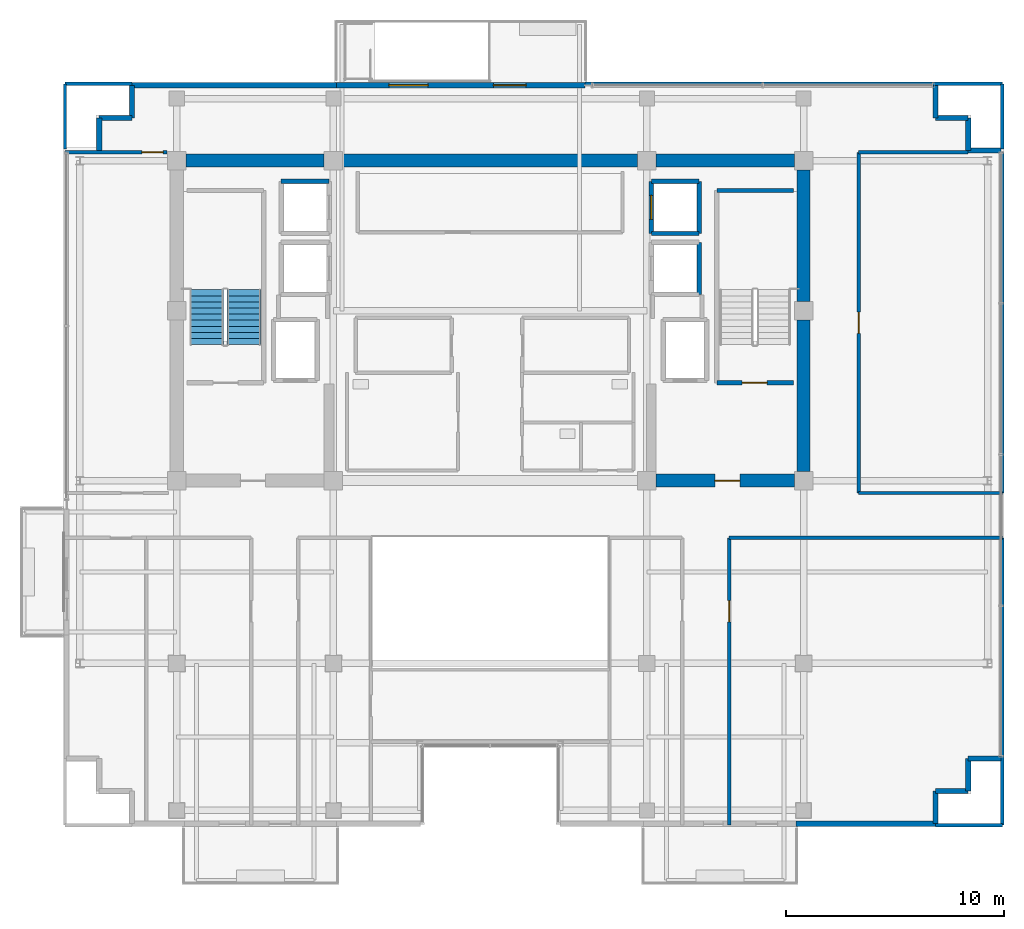
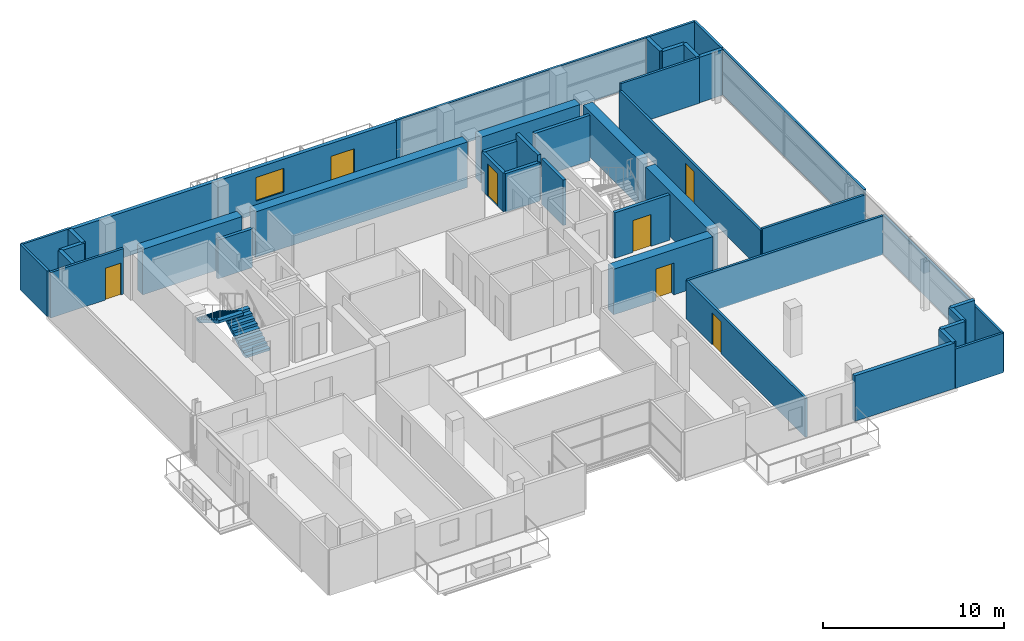
# One storey, part 18 of 24: 41 walls, 7 doors, 2 stair flights, 1 window, 8 openings, 1 element without a shape of its own.
"""IFC4 building model written with IfcOpenShell, lengths in metres."""

import ifcopenshell
import ifcopenshell.guid

model = None  # the IFC model being written
_history = None  # IfcOwnerHistory: only IFC2X3 demands one
_inside = {}  # id of a spatial element -> (the spatial element, [elements in it])
_under = {}  # id of a project, library or spatial element -> (it, [spatial elements below it])
_declared = {}  # id of a project -> (the project, [libraries it declares])
_typed = {}  # id of a type object -> (the type object, [elements of that type])
_made_of = {}  # id of a material, layer set ... -> (it, [elements and type objects made of it])


def new_model(schema):
    """Start an empty IFC model of exactly this schema.

    Asked for "IFC4X3", IfcOpenShell would pick the latest addendum, in which some entities
    have other attributes; the version numbers below select the first issue.
    IFC2X3 requires an IfcOwnerHistory on every rooted entity: one is made here for all.
    """
    global model, _history
    if schema == "IFC4X3":
        model = ifcopenshell.file(schema_version=(4, 3, 0, 0))
    else:
        model = ifcopenshell.file(schema=schema)
    _inside.clear()
    _under.clear()
    _declared.clear()
    _typed.clear()
    _made_of.clear()
    _history = None
    if model.schema == "IFC2X3":
        org = make("IfcOrganization", Name="unknown")
        user = make(
            "IfcPersonAndOrganization",
            ThePerson=make("IfcPerson", FamilyName="unknown"),
            TheOrganization=org,
        )
        app = make(
            "IfcApplication",
            ApplicationDeveloper=org,
            Version="unknown",
            ApplicationFullName="unknown",
            ApplicationIdentifier="unknown",
        )
        _history = make(
            "IfcOwnerHistory",
            OwningUser=user,
            OwningApplication=app,
            ChangeAction="ADDED",
            CreationDate=0,
        )
    return model


def make(cls, **values):
    """One entity of the class cls with the attributes given. An attribute that is None is left unset."""
    return model.create_entity(
        cls, **{name: value for name, value in values.items() if value is not None}
    )


def rooted(cls, **values):
    """An entity with a GlobalId (a new one), such as an element, a storey or a relation."""
    return make(cls, GlobalId=ifcopenshell.guid.new(), OwnerHistory=_history, **values)


def si_unit(unit_type, name, prefix=None):
    """IfcSIUnit, for example si_unit("LENGTHUNIT", "METRE", prefix="MILLI")."""
    return make("IfcSIUnit", UnitType=unit_type, Prefix=prefix, Name=name)


def assignment(units):
    """IfcUnitAssignment: the units of a project."""
    return None if units is None else make("IfcUnitAssignment", Units=units)


def point(xyz):
    """IfcCartesianPoint."""
    return None if xyz is None else make("IfcCartesianPoint", Coordinates=xyz)


def direction(xyz):
    """IfcDirection."""
    return None if xyz is None else make("IfcDirection", DirectionRatios=xyz)


def frame(location, z_axis=None, x_axis=None):
    """IfcAxis2Placement3D, a coordinate frame: its origin and axes. An axis left out is left unset."""
    return make(
        "IfcAxis2Placement3D",
        Location=point(location),
        Axis=direction(z_axis),
        RefDirection=direction(x_axis),
    )


def frame_2d(location, x_axis=None):
    """IfcAxis2Placement2D, a coordinate frame in the plane: its origin and x axis."""
    return make(
        "IfcAxis2Placement2D", Location=point(location), RefDirection=direction(x_axis)
    )


def origin():
    """The frame at (0, 0, 0) with its axes left unset."""
    return frame((0.0, 0.0, 0.0))


def place(relative_to, where):
    """IfcLocalPlacement: puts the frame where relative to a parent placement (None: the world)."""
    return make(
        "IfcLocalPlacement", PlacementRelTo=relative_to, RelativePlacement=where
    )


def context(
    kind, dimensions, precision=None, world=None, true_north=None, identifier=None
):
    """IfcGeometricRepresentationContext, for example the 3D "Model" context."""
    return make(
        "IfcGeometricRepresentationContext",
        ContextIdentifier=identifier,
        ContextType=kind,
        CoordinateSpaceDimension=dimensions,
        Precision=precision,
        WorldCoordinateSystem=world,
        TrueNorth=true_north,
    )


def subcontext(parent, identifier, kind, view, scale=None):
    """IfcGeometricRepresentationSubContext, for example "Body" below "Model"."""
    return make(
        "IfcGeometricRepresentationSubContext",
        ContextIdentifier=identifier,
        ContextType=kind,
        ParentContext=parent,
        TargetScale=scale,
        TargetView=view,
    )


def project(units=None, contexts=None):
    """IfcProject with its units and contexts."""
    return rooted(
        "IfcProject",
        Name="project",
        RepresentationContexts=contexts,
        UnitsInContext=assignment(units),
    )


def spatial(cls, under=None, at=None, **own):
    """A site, building, storey or space (cls), placed at a placement, below another one or the project."""
    s = rooted(cls, ObjectPlacement=at, **own)
    if under is not None:
        _under.setdefault(under.id(), (under, []))[1].append(s)
    return s


def polyline(points):
    """IfcPolyline through the points."""
    return make("IfcPolyline", Points=[point(p) for p in points])


def profile(cls, at=None, kind="AREA", **sizes):
    """A parametric profile (cls). Its sizes go by their IFC names, for example OverallWidth=200.0."""
    return make(cls, ProfileType=kind, Position=at, **sizes)


def rectangle(**sizes):
    """IfcRectangleProfileDef."""
    return profile("IfcRectangleProfileDef", **sizes)


def outline(outer, holes=None, kind="AREA"):
    """IfcArbitraryClosedProfileDef: a profile drawn as a closed curve; with holes, ...WithVoids."""
    if holes is None:
        return make("IfcArbitraryClosedProfileDef", ProfileType=kind, OuterCurve=outer)
    return make(
        "IfcArbitraryProfileDefWithVoids",
        ProfileType=kind,
        OuterCurve=outer,
        InnerCurves=holes,
    )


def extrude(swept, where, along, depth):
    """IfcExtrudedAreaSolid: the profile swept, set in the frame where, extruded along a direction by depth."""
    return make(
        "IfcExtrudedAreaSolid",
        SweptArea=swept,
        Position=where,
        ExtrudedDirection=direction(along),
        Depth=depth,
    )


def shape(context_of_items, identifier, shape_type, items):
    """IfcShapeRepresentation: the items that make up one representation, for example the "Body"."""
    return make(
        "IfcShapeRepresentation",
        ContextOfItems=context_of_items,
        RepresentationIdentifier=identifier,
        RepresentationType=shape_type,
        Items=items,
    )


def source(mapping_origin, context_of_items, identifier, shape_type, items):
    """IfcRepresentationMap: a shape defined once, which mapped items show again and again."""
    return make(
        "IfcRepresentationMap",
        MappingOrigin=mapping_origin,
        MappedRepresentation=shape(context_of_items, identifier, shape_type, items),
    )


def transform(
    local_origin,
    x_axis=None,
    y_axis=None,
    z_axis=None,
    scale=None,
    scale2=None,
    scale3=None,
    uniform=True,
):
    """IfcCartesianTransformationOperator3D, or its non-uniform kind. x_axis, y_axis, z_axis: its Axis1, 2, 3."""
    if uniform:
        return make(
            "IfcCartesianTransformationOperator3D",
            Axis1=direction(x_axis),
            Axis2=direction(y_axis),
            LocalOrigin=point(local_origin),
            Scale=scale,
            Axis3=direction(z_axis),
        )
    return make(
        "IfcCartesianTransformationOperator3DnonUniform",
        Axis1=direction(x_axis),
        Axis2=direction(y_axis),
        LocalOrigin=point(local_origin),
        Scale=scale,
        Axis3=direction(z_axis),
        Scale2=scale2,
        Scale3=scale3,
    )


def mapped(mapping_source, mapping_target):
    """IfcMappedItem: shows the shape of a source again, moved by a transform."""
    return make(
        "IfcMappedItem", MappingSource=mapping_source, MappingTarget=mapping_target
    )


def material(Name=None, Category=None):
    """IfcMaterial."""
    return make("IfcMaterial", Name=Name, Category=Category)


def layer(
    of_material, thickness, ventilated=None, Name=None, Category=None, Priority=None
):
    """IfcMaterialLayer: one layer of a wall or slab, of a material (None: an air gap)."""
    return make(
        "IfcMaterialLayer",
        Material=of_material,
        LayerThickness=thickness,
        IsVentilated=ventilated,
        Name=Name,
        Category=Category,
        Priority=Priority,
    )


def layer_set(layers, Name=None):
    """IfcMaterialLayerSet."""
    return make("IfcMaterialLayerSet", MaterialLayers=layers, LayerSetName=Name)


def made_of(thing, what):
    """Note that an element or type object is made of a material, layer set ...; save() writes the relation."""
    if what is not None:
        _made_of.setdefault(what.id(), (what, []))[1].append(thing)
    return thing


def type_object(cls, material=None, **own):
    """A type object (cls), such as IfcWallType, which elements share."""
    return made_of(rooted(cls, **own), material)


def element(
    cls,
    number,
    at=None,
    inside=None,
    cuts=None,
    type_object=None,
    material=None,
    context=None,
    identifier="Body",
    shape_type=None,
    held_by="IfcProductDefinitionShape",
    body=None,
    shapes=None,
    **own,
):
    """One element of the class cls, such as IfcWall. Its Tag is "e" and its number.

    at: its placement. inside: the storey or other place that contains it. cuts: it is an
    opening in that element (IfcRelVoidsElement). A single representation is given by context,
    identifier, shape_type and body (its items); several are given by shapes. held_by: the class
    of the entity that holds the representations. save() writes the other relations.
    """
    e = rooted(cls, Tag="e%d" % number, ObjectPlacement=at, **own)
    if body is not None:
        shapes = [shape(context, identifier, shape_type, body)]
    if shapes is not None:
        e.Representation = make(held_by, Representations=shapes)
    if inside is not None:
        _inside.setdefault(inside.id(), (inside, []))[1].append(e)
    if cuts is not None:
        rooted(
            "IfcRelVoidsElement", RelatingBuildingElement=cuts, RelatedOpeningElement=e
        )
    if type_object is not None:
        _typed.setdefault(type_object.id(), (type_object, []))[1].append(e)
    return made_of(e, material)


def fill(opening, filler):
    """IfcRelFillsElement: the door or window that sits in an opening."""
    return rooted(
        "IfcRelFillsElement",
        RelatingOpeningElement=opening,
        RelatedBuildingElement=filler,
    )


def aggregate(whole, parts):
    """IfcRelAggregates: a whole, such as a stair, and the parts it consists of."""
    return rooted("IfcRelAggregates", RelatingObject=whole, RelatedObjects=parts)


def save(model, path):
    """Write the relations noted so far, then the file.

    IfcRelAggregates (storeys below a building ...), IfcRelContainedInSpatialStructure (elements
    in a storey), IfcRelDefinesByType, IfcRelAssociatesMaterial and IfcRelDeclares: one each for
    every whole, place, type object, material and project.
    """
    for whole, parts in _under.values():
        aggregate(whole, parts)
    for where, things in _inside.values():
        rooted(
            "IfcRelContainedInSpatialStructure",
            RelatedElements=things,
            RelatingStructure=where,
        )
    for kind, things in _typed.values():
        rooted("IfcRelDefinesByType", RelatedObjects=things, RelatingType=kind)
    for what, things in _made_of.values():
        rooted("IfcRelAssociatesMaterial", RelatedObjects=things, RelatingMaterial=what)
    for by, libraries in _declared.values():
        rooted("IfcRelDeclares", RelatingContext=by, RelatedDefinitions=libraries)
    model.write(path)


model = new_model("IFC4")

# Units and contexts
model_context = context("Model", 3, precision=1e-05, world=origin(), true_north=direction((0.0, 1.0)))
body_context = subcontext(model_context, "Body", "Model", "MODEL_VIEW")
ifc_project = project(units=[si_unit("LENGTHUNIT", "METRE"), si_unit("AREAUNIT", "SQUARE_METRE"), si_unit("VOLUMEUNIT", "CUBIC_METRE"), si_unit("PLANEANGLEUNIT", "RADIAN"), si_unit("MASSUNIT", "GRAM", prefix="KILO")], contexts=[model_context])

# Site, building, storey
site_placement = place(None, origin())
site = spatial("IfcSite", under=ifc_project, at=site_placement, CompositionType="ELEMENT")
building_placement = place(site_placement, origin())
building = spatial("IfcBuilding", under=site, at=building_placement, Name="Zarnakvel Exchange Tower", CompositionType="ELEMENT")
storey_placement = place(building_placement, frame((0.0, 0.0, 235.300048828125)))
storey = spatial("IfcBuildingStorey", under=building, at=storey_placement, Name="L66", CompositionType="ELEMENT", Elevation=235.300048828125)

# Walls
ifc_material_1 = material(Name="Concrete C50/60", Category="concrete")
ifc_layer_1 = layer(ifc_material_1, 0.60009765625)
ifc_layer_set_1 = layer_set([ifc_layer_1], Name="Concrete C50/60")
wall_type_1 = type_object("IfcWallType", Name="CW-C5", PredefinedType="SHEAR", material=ifc_layer_set_1)
wall_1_placement = place(storey_placement, frame((-13.97509765625, 13.5, 0.0), z_axis=(0.0, 0.0, 1.0), x_axis=(1.0, 0.0, 0.0)))
element("IfcWall", 1, at=wall_1_placement, inside=storey, type_object=wall_type_1, Name="L66 Rear Core Shear Wall N1 (CW-C5)", PredefinedType="SHEAR", context=body_context, shape_type="SweptSolid", body=[
    extrude(rectangle(XDim=6.35009765625, YDim=0.60009765625, at=frame_2d((3.175048828125, 0.0))), origin(), (0.0, 0.0, 1.0), 3.074951171875),
])
wall_2_placement = place(storey_placement, frame((-6.77490234375, 13.5, 0.0), z_axis=(0.0, 0.0, 1.0), x_axis=(1.0, 0.0, 0.0)))
element("IfcWall", 2, at=wall_2_placement, inside=storey, type_object=wall_type_1, Name="L66 Rear Core Shear Wall N2 (CW-C5)", PredefinedType="SHEAR", context=body_context, shape_type="SweptSolid", body=[
    extrude(rectangle(XDim=13.5498046875, YDim=0.60009765625, at=frame_2d((6.77490234375, 0.0))), origin(), (0.0, 0.0, 1.0), 3.074951171875),
])
wall_3_placement = place(storey_placement, frame((7.625, 13.5, 0.0), z_axis=(0.0, 0.0, 1.0), x_axis=(1.0, 0.0, 0.0)))
element("IfcWall", 3, at=wall_3_placement, inside=storey, type_object=wall_type_1, Name="L66 Rear Core Shear Wall N3 (CW-C5)", PredefinedType="SHEAR", context=body_context, shape_type="SweptSolid", body=[
    extrude(rectangle(XDim=6.35009765625, YDim=0.60009765625, at=frame_2d((3.175048828125, 0.0))), origin(), (0.0, 0.0, 1.0), 3.074951171875),
])
wall_4_placement = place(storey_placement, frame((14.39990234375, -0.77490234375, 0.0), z_axis=(0.0, 0.0, 1.0), x_axis=(0.0, 1.0, 0.0)))
element("IfcWall", 4, at=wall_4_placement, inside=storey, type_object=wall_type_1, Name="L66 Rear Core Shear Wall E1 (CW-C5)", PredefinedType="SHEAR", context=body_context, shape_type="SweptSolid", body=[
    extrude(rectangle(XDim=6.949951171875, YDim=0.60009765625, at=frame_2d((3.47509765625, 0.0))), origin(), (0.0, 0.0, 1.0), 3.074951171875),
])
wall_5_placement = place(storey_placement, frame((14.39990234375, 7.02490234375, 0.0), z_axis=(0.0, 0.0, 1.0), x_axis=(0.0, 1.0, 0.0)))
element("IfcWall", 5, at=wall_5_placement, inside=storey, type_object=wall_type_1, Name="L66 Rear Core Shear Wall E2 (CW-C5)", PredefinedType="SHEAR", context=body_context, shape_type="SweptSolid", body=[
    extrude(rectangle(XDim=6.050048828125, YDim=0.60009765625, at=frame_2d((3.02490234375, 0.0))), origin(), (0.0, 0.0, 1.0), 3.074951171875),
])

# Wall, opening, door
wall_6_placement = place(storey_placement, frame((13.97509765625, -1.199951171875, 0.0), z_axis=(0.0, 0.0, 1.0), x_axis=(-1.0, 0.0, 0.0)))
wall_6 = element("IfcWall", 6, at=wall_6_placement, inside=storey, type_object=wall_type_1, Name="L66 Rear Core Shear Wall SE (CW-C5)", PredefinedType="SHEAR", context=body_context, shape_type="SweptSolid", body=[
    extrude(rectangle(XDim=6.35009765625, YDim=0.60009765625, at=frame_2d((3.175048828125, 0.0))), origin(), (0.0, 0.0, 1.0), 3.074951171875),
])
opening_1_placement = place(wall_6_placement, frame((2.5, 0.0, 0.0)))
opening_1 = element("IfcOpeningElement", 7, at=opening_1_placement, cuts=wall_6, Name="Opening D-L66-04", PredefinedType="OPENING", context=body_context, shape_type="SweptSolid", body=[
    extrude(rectangle(XDim=1.14990234375, YDim=2.14990234375, at=frame_2d((0.574951171875, 1.074951171875))), frame((0.0, 0.31005859375, 0.0), z_axis=(0.0, -1.0, 0.0), x_axis=(1.0, 0.0, 0.0)), (0.0, 0.0, 1.0), 0.6201171875),
])
ifc_material_2 = material(Name="Painted Galvanised Steel S355", Category="steel")
door_type_1 = type_object("IfcDoorType", Name="DT-04", OperationType="NOTDEFINED", PredefinedType="DOOR", material=ifc_material_2)
shared_shape_1 = source(origin(), body_context, "Body", "SweptSolid", [
    extrude(rectangle(XDim=1.14990234375, YDim=2.14990234375, at=frame_2d((0.574951171875, 1.074951171875))), frame((0.0, 0.02490234375, 0.0), z_axis=(0.0, -1.0, 0.0), x_axis=(1.0, 0.0, 0.0)), (0.0, 0.0, 1.0), 0.050048828125),
])
door_1_placement = place(opening_1_placement, origin())
door_1 = element("IfcDoor", 8, at=door_1_placement, inside=storey, type_object=door_type_1, Name="L66 Firefighting Lobby East Door D-L66-04", OperationType="SINGLE_SWING_RIGHT", OverallHeight=2.14990234375, OverallWidth=1.14990234375, PredefinedType="DOOR", context=body_context, shape_type="MappedRepresentation", body=[
    mapped(shared_shape_1, transform((0.0, 0.0, 0.0), x_axis=(1.0, 0.0, 0.0), y_axis=(0.0, 1.0, 0.0), z_axis=(0.0, 0.0, 1.0), scale=1.0)),
])
fill(opening_1, door_1)

# Wall, openings, door, window
ifc_material_3 = material(Name="Precast concrete C40/50", Category="concrete")
ifc_layer_2 = layer(ifc_material_3, 0.239990234375)
ifc_layer_set_2 = layer_set([ifc_layer_2], Name="Precast concrete C40/50")
wall_type_2 = type_object("IfcWallType", Name="EW-02", PredefinedType="SOLIDWALL", material=ifc_layer_set_2)
wall_7_placement = place(storey_placement, frame((-7.050048828125, 16.9599609375, 0.0), z_axis=(0.0, 0.0, 1.0), x_axis=(1.0, 0.0, 0.0)))
wall_7 = element("IfcWall", 9, at=wall_7_placement, inside=storey, type_object=wall_type_2, Name="L66 Exterior Precast Spandrel Wall EW-SPTER-L66 (EW-02)", PredefinedType="SOLIDWALL", context=body_context, shape_type="SweptSolid", body=[
    extrude(rectangle(XDim=11.400146484375, YDim=0.239990234375, at=frame_2d((5.7001953125, 0.0))), origin(), (0.0, 0.0, 1.0), 3.074951171875),
])
opening_2_placement = place(wall_7_placement, frame((7.199951171875, 0.0, 0.0)))
opening_2 = element("IfcOpeningElement", 10, at=opening_2_placement, cuts=wall_7, Name="Opening TD-L66-SP", PredefinedType="OPENING", context=body_context, shape_type="SweptSolid", body=[
    extrude(rectangle(XDim=1.5, YDim=2.199951171875, at=frame_2d((0.75, 1.10009765625))), frame((0.0, 0.1298828125, 0.0), z_axis=(0.0, -1.0, 0.0), x_axis=(1.0, 0.0, 0.0)), (0.0, 0.0, 1.0), 0.260009765625),
])
opening_3_placement = place(wall_7_placement, frame((2.39990234375, 0.0, 0.85009765625)))
opening_3 = element("IfcOpeningElement", 11, at=opening_3_placement, cuts=wall_7, Name="Opening WN-05", PredefinedType="OPENING", context=body_context, shape_type="SweptSolid", body=[
    extrude(rectangle(XDim=1.800048828125, YDim=1.60009765625, at=frame_2d((0.89990234375, 0.800048828125))), frame((0.0, 0.1298828125, 0.0), z_axis=(0.0, -1.0, 0.0), x_axis=(1.0, 0.0, 0.0)), (0.0, 0.0, 1.0), 0.260009765625),
])
ifc_material_4 = material(Name="Architectural Bronze Anodised Aluminium", Category="aluminium")
door_type_2 = type_object("IfcDoorType", Name="DT-10", OperationType="NOTDEFINED", PredefinedType="DOOR", material=ifc_material_4)
shared_shape_2 = source(origin(), body_context, "Body", "SweptSolid", [
    extrude(rectangle(XDim=1.5, YDim=2.199951171875, at=frame_2d((0.75, 1.10009765625))), frame((0.0, 0.02490234375, 0.0), z_axis=(0.0, -1.0, 0.0), x_axis=(1.0, 0.0, 0.0)), (0.0, 0.0, 1.0), 0.050048828125),
])
door_2_placement = place(opening_2_placement, origin())
door_2 = element("IfcDoor", 12, at=door_2_placement, inside=storey, type_object=door_type_2, Name="L66 Spiral Sky-Terrace Access Door TD-L66-SP", OperationType="DOUBLE_DOOR_SINGLE_SWING", OverallHeight=2.199951171875, OverallWidth=1.5, PredefinedType="DOOR", context=body_context, shape_type="MappedRepresentation", body=[
    mapped(shared_shape_2, transform((0.0, 0.0, 0.0), x_axis=(1.0, 0.0, 0.0), y_axis=(0.0, 1.0, 0.0), z_axis=(0.0, 0.0, 1.0), scale=1.0)),
])
fill(opening_2, door_2)
ifc_material_5 = material(Name="Double Low-E Laminated Vision Glass", Category="glass")
window_type = type_object("IfcWindowType", Name="WN-05", PartitioningType="SINGLE_PANEL", PredefinedType="WINDOW", material=ifc_material_5)
shared_shape_3 = source(origin(), body_context, "Body", "SweptSolid", [
    extrude(rectangle(XDim=1.800048828125, YDim=1.60009765625, at=frame_2d((0.89990234375, 0.800048828125))), frame((0.0, 0.030029296875, 0.0), z_axis=(0.0, -1.0, 0.0), x_axis=(1.0, 0.0, 0.0)), (0.0, 0.0, 1.0), 0.06005859375),
])
window_placement = place(opening_3_placement, origin())
window = element("IfcWindow", 13, at=window_placement, inside=storey, type_object=window_type, Name="L66 Spiral Sky-Terrace Lounge Window", OverallHeight=1.60009765625, OverallWidth=1.800048828125, PartitioningType="SINGLE_PANEL", PredefinedType="WINDOW", context=body_context, shape_type="MappedRepresentation", body=[
    mapped(shared_shape_3, transform((0.0, 0.0, 0.0), x_axis=(1.0, 0.0, 0.0), y_axis=(0.0, 1.0, 0.0), z_axis=(0.0, 0.0, 1.0), scale=1.0)),
])
fill(opening_3, window)

# Walls
for number, where, z_axis, x_axis, name in (
    (14, (-17.9599609375, 15.4599609375, 0.0), (0.0, 0.0, 1.0), (0.0, -1.0, 0.0), "L66 Exterior Precast Spandrel Wall EWC-L66-04 (EW-02)"),
    (15, (-16.4599609375, 15.4599609375, 0.0), (0.0, 0.0, 1.0), (-1.0, 0.0, 0.0), "L66 Exterior Precast Spandrel Wall EWC-L66-05 (EW-02)"),
    (16, (-16.4599609375, 16.9599609375, 0.0), (0.0, 0.0, 1.0), (0.0, -1.0, 0.0), "L66 Exterior Precast Spandrel Wall EWC-L66-06 (EW-02)"),
):
    element("IfcWall", number, at=place(storey_placement, frame(where, z_axis=z_axis, x_axis=x_axis)), inside=storey, type_object=wall_type_2, Name=name, PredefinedType="SOLIDWALL", context=body_context, shape_type="SweptSolid", body=[
        extrude(rectangle(XDim=1.5, YDim=0.239990234375, at=frame_2d((0.75, 0.0))), origin(), (0.0, 0.0, 1.0), 3.074951171875),
    ])
wall_8_placement = place(storey_placement, frame((-7.050048828125, 16.9599609375, 0.0), z_axis=(0.0, 0.0, 1.0), x_axis=(-1.0, 0.0, 0.0)))
element("IfcWall", 17, at=wall_8_placement, inside=storey, type_object=wall_type_2, Name="L66 Exterior Precast Spandrel Wall EWC-L66-07 (EW-02)", PredefinedType="SOLIDWALL", context=body_context, shape_type="SweptSolid", body=[
    extrude(rectangle(XDim=9.409912109375, YDim=0.239990234375, at=frame_2d((4.705078125, 0.0))), origin(), (0.0, 0.0, 1.0), 3.074951171875),
])
for number, where, z_axis, x_axis, name in (
    (18, (20.4599609375, 15.4599609375, 0.0), (0.0, 0.0, 1.0), (0.0, 1.0, 0.0), "L66 Exterior Precast Spandrel Wall EWC-L66-09 (EW-02)"),
    (19, (21.9599609375, 15.4599609375, 0.0), (0.0, 0.0, 1.0), (-1.0, 0.0, 0.0), "L66 Exterior Precast Spandrel Wall EWC-L66-10 (EW-02)"),
    (20, (21.9599609375, 13.9599609375, 0.0), (0.0, 0.0, 1.0), (0.0, 1.0, 0.0), "L66 Exterior Precast Spandrel Wall EWC-L66-11 (EW-02)"),
    (21, (23.4599609375, 13.9599609375, 0.0), (0.0, 0.0, 1.0), (-1.0, 0.0, 0.0), "L66 Exterior Precast Spandrel Wall EWC-L66-12 (EW-02)"),
    (22, (21.9599609375, -13.9599609375, 0.0), (0.0, 0.0, 1.0), (1.0, 0.0, 0.0), "L66 Exterior Precast Spandrel Wall EWC-L66-13 (EW-02)"),
    (23, (21.9599609375, -15.4599609375, 0.0), (0.0, 0.0, 1.0), (0.0, 1.0, 0.0), "L66 Exterior Precast Spandrel Wall EWC-L66-14 (EW-02)"),
    (24, (20.4599609375, -15.4599609375, 0.0), (0.0, 0.0, 1.0), (1.0, 0.0, 0.0), "L66 Exterior Precast Spandrel Wall EWC-L66-15 (EW-02)"),
    (25, (20.4599609375, -16.9599609375, 0.0), (0.0, 0.0, 1.0), (0.0, 1.0, 0.0), "L66 Exterior Precast Spandrel Wall EWC-L66-16 (EW-02)"),
):
    element("IfcWall", number, at=place(storey_placement, frame(where, z_axis=z_axis, x_axis=x_axis)), inside=storey, type_object=wall_type_2, Name=name, PredefinedType="SOLIDWALL", context=body_context, shape_type="SweptSolid", body=[
        extrude(rectangle(XDim=1.5, YDim=0.239990234375, at=frame_2d((0.75, 0.0))), origin(), (0.0, 0.0, 1.0), 3.074951171875),
    ])
wall_9_placement = place(storey_placement, frame((14.050048828125, -16.9599609375, 0.0), z_axis=(0.0, 0.0, 1.0), x_axis=(1.0, 0.0, 0.0)))
element("IfcWall", 26, at=wall_9_placement, inside=storey, type_object=wall_type_2, Name="L66 Exterior Precast Spandrel Wall EWC-L66-17 (EW-02)", PredefinedType="SOLIDWALL", context=body_context, shape_type="SweptSolid", body=[
    extrude(rectangle(XDim=6.409912109375, YDim=0.239990234375, at=frame_2d((3.205078125, 0.0))), origin(), (0.0, 0.0, 1.0), 3.074951171875),
])
ifc_material_6 = material(Name="Fire-Rated Gypsum Stud Partition", Category="gypsum")
ifc_layer_3 = layer(ifc_material_6, 0.14990234375)
ifc_layer_set_3 = layer_set([ifc_layer_3], Name="Fire-Rated Gypsum Stud Partition")
wall_type_3 = type_object("IfcWallType", Name="PT-01", PredefinedType="PARTITIONING", material=ifc_layer_set_3)
wall_10_placement = place(storey_placement, frame((23.530029296875, -17.030029296875, 0.0), z_axis=(0.0, 0.0, 1.0), x_axis=(-1.0, 0.0, 0.0)))
element("IfcWall", 27, at=wall_10_placement, inside=storey, type_object=wall_type_3, Name="L66 Partition Wall PWALL-L66-040 (PT-01)", PredefinedType="PARTITIONING", context=body_context, shape_type="SweptSolid", body=[
    extrude(rectangle(XDim=3.070068359375, YDim=0.14990234375, at=frame_2d((1.53515625, 0.0))), origin(), (0.0, 0.0, 1.0), 2.6650390625),
])
wall_11_placement = place(storey_placement, frame((10.97998046875, -3.830078125, 0.0), z_axis=(0.0, 0.0, 1.0), x_axis=(1.0, 0.0, 0.0)))
element("IfcWall", 28, at=wall_11_placement, inside=storey, type_object=wall_type_3, Name="L66 Partition Wall PWALL-L66-041 (PT-01)", PredefinedType="PARTITIONING", context=body_context, shape_type="SweptSolid", body=[
    extrude(rectangle(XDim=12.550048828125, YDim=0.14990234375, at=frame_2d((6.27490234375, 0.0))), origin(), (0.0, 0.0, 1.0), 2.614990234375),
])

# Wall, opening, door
wall_12_placement = place(storey_placement, frame((10.97998046875, -17.030029296875, 0.0), z_axis=(0.0, 0.0, 1.0), x_axis=(0.0, 1.0, 0.0)))
wall_12 = element("IfcWall", 29, at=wall_12_placement, inside=storey, type_object=wall_type_3, Name="L66 Partition Wall PWALL-L66-042 (PT-01)", PredefinedType="PARTITIONING", context=body_context, shape_type="SweptSolid", body=[
    extrude(rectangle(XDim=13.199951171875, YDim=0.14990234375, at=frame_2d((6.60009765625, 0.0))), origin(), (0.0, 0.0, 1.0), 2.614990234375),
])
opening_4_placement = place(wall_12_placement, frame((9.340087890625, 0.0, 0.0)))
opening_4 = element("IfcOpeningElement", 30, at=opening_4_placement, cuts=wall_12, Name="Opening D-L66-14", PredefinedType="OPENING", context=body_context, shape_type="SweptSolid", body=[
    extrude(rectangle(XDim=0.97998046875, YDim=2.14990234375, at=frame_2d((0.489990234375, 1.074951171875))), frame((0.0, 0.0849609375, 0.0), z_axis=(0.0, -1.0, 0.0), x_axis=(1.0, 0.0, 0.0)), (0.0, 0.0, 1.0), 0.169921875),
])
ifc_material_7 = material(Name="Timber Acoustic Veneer", Category="wood")
door_type_3 = type_object("IfcDoorType", Name="DT-05", OperationType="NOTDEFINED", PredefinedType="DOOR", material=ifc_material_7)
shared_shape_4 = source(origin(), body_context, "Body", "SweptSolid", [
    extrude(rectangle(XDim=0.97998046875, YDim=2.14990234375, at=frame_2d((0.489990234375, 1.074951171875))), frame((0.0, 0.02490234375, 0.0), z_axis=(0.0, -1.0, 0.0), x_axis=(1.0, 0.0, 0.0)), (0.0, 0.0, 1.0), 0.050048828125),
])
door_3_placement = place(opening_4_placement, origin())
door_3 = element("IfcDoor", 31, at=door_3_placement, inside=storey, type_object=door_type_3, Name="L66 Seminar Room Door D-L66-14", OperationType="SINGLE_SWING_RIGHT", OverallHeight=2.14990234375, OverallWidth=0.97998046875, PredefinedType="DOOR", context=body_context, shape_type="MappedRepresentation", body=[
    mapped(shared_shape_4, transform((0.0, 0.0, 0.0), x_axis=(1.0, 0.0, 0.0), y_axis=(0.0, 1.0, 0.0), z_axis=(0.0, 0.0, 1.0), scale=1.0)),
])
fill(opening_4, door_3)

# Wall
wall_13_placement = place(storey_placement, frame((23.530029296875, -3.830078125, 0.0), z_axis=(0.0, 0.0, 1.0), x_axis=(0.0, -1.0, 0.0)))
element("IfcWall", 32, at=wall_13_placement, inside=storey, type_object=wall_type_3, Name="L66 Partition Wall PWALL-L66-043 (PT-01)", PredefinedType="PARTITIONING", context=body_context, shape_type="SweptSolid", body=[
    extrude(rectangle(XDim=13.199951171875, YDim=0.14990234375, at=frame_2d((6.60009765625, 0.0))), origin(), (0.0, 0.0, 1.0), 2.6650390625),
])

# Wall, opening, door
wall_14_placement = place(storey_placement, frame((-19.530029296875, 13.8798828125, 0.0), z_axis=(0.0, 0.0, 1.0), x_axis=(1.0, 0.0, 0.0)))
wall_14 = element("IfcWall", 33, at=wall_14_placement, inside=storey, type_object=wall_type_3, Name="L66 Partition Wall PWALL-L66-055 (PT-01)", PredefinedType="PARTITIONING", context=body_context, shape_type="SweptSolid", body=[
    extrude(rectangle(XDim=4.68505859375, YDim=0.14990234375, at=frame_2d((2.342529296875, 0.0))), origin(), (0.0, 0.0, 1.0), 3.074951171875),
])
opening_5_placement = place(wall_14_placement, frame((3.52490234375, 0.0, 0.0)))
opening_5 = element("IfcOpeningElement", 34, at=opening_5_placement, cuts=wall_14, Name="Opening D-L66-20", PredefinedType="OPENING", context=body_context, shape_type="SweptSolid", body=[
    extrude(rectangle(XDim=0.97998046875, YDim=2.14990234375, at=frame_2d((0.489990234375, 1.074951171875))), frame((0.0, 0.0849609375, 0.0), z_axis=(0.0, -1.0, 0.0), x_axis=(1.0, 0.0, 0.0)), (0.0, 0.0, 1.0), 0.169921875),
])
door_4_placement = place(opening_5_placement, origin())
door_4 = element("IfcDoor", 35, at=door_4_placement, inside=storey, type_object=door_type_3, Name="L66 Fintech Workspace Door D-L66-20", OperationType="SINGLE_SWING_RIGHT", OverallHeight=2.14990234375, OverallWidth=0.97998046875, PredefinedType="DOOR", context=body_context, shape_type="MappedRepresentation", body=[
    mapped(shared_shape_4, transform((0.0, 0.0, 0.0), x_axis=(1.0, 0.0, 0.0), y_axis=(0.0, 1.0, 0.0), z_axis=(0.0, 0.0, 1.0), scale=1.0)),
])
fill(opening_5, door_4)

# Walls
wall_15_placement = place(storey_placement, frame((23.530029296875, -1.77001953125, 0.0), z_axis=(0.0, 0.0, 1.0), x_axis=(-1.0, 0.0, 0.0)))
element("IfcWall", 36, at=wall_15_placement, inside=storey, type_object=wall_type_3, Name="L66 Partition Wall PWALL-L66-057 (PT-01)", PredefinedType="PARTITIONING", context=body_context, shape_type="SweptSolid", body=[
    extrude(rectangle(XDim=6.60009765625, YDim=0.14990234375, at=frame_2d((3.300048828125, 0.0))), origin(), (0.0, 0.0, 1.0), 2.764892578125),
])
wall_16_placement = place(storey_placement, frame((16.929931640625, 13.8798828125, 0.0), z_axis=(0.0, 0.0, 1.0), x_axis=(1.0, 0.0, 0.0)))
element("IfcWall", 37, at=wall_16_placement, inside=storey, type_object=wall_type_3, Name="L66 Partition Wall PWALL-L66-058 (PT-01)", PredefinedType="PARTITIONING", context=body_context, shape_type="SweptSolid", body=[
    extrude(rectangle(XDim=5.030029296875, YDim=0.14990234375, at=frame_2d((2.51513671875, 0.0))), origin(), (0.0, 0.0, 1.0), 3.074951171875),
])

# Wall, opening, door
wall_17_placement = place(storey_placement, frame((16.929931640625, -1.77001953125, 0.0), z_axis=(0.0, 0.0, 1.0), x_axis=(0.0, 1.0, 0.0)))
wall_17 = element("IfcWall", 38, at=wall_17_placement, inside=storey, type_object=wall_type_3, Name="L66 Partition Wall PWALL-L66-059 (PT-01)", PredefinedType="PARTITIONING", context=body_context, shape_type="SweptSolid", body=[
    extrude(rectangle(XDim=15.64990234375, YDim=0.14990234375, at=frame_2d((7.824951171875, 0.0))), origin(), (0.0, 0.0, 1.0), 2.614990234375),
])
opening_6_placement = place(wall_17_placement, frame((7.3349609375, 0.0, 0.0)))
opening_6 = element("IfcOpeningElement", 39, at=opening_6_placement, cuts=wall_17, Name="Opening D-L66-19", PredefinedType="OPENING", context=body_context, shape_type="SweptSolid", body=[
    extrude(rectangle(XDim=0.97998046875, YDim=2.14990234375, at=frame_2d((0.489990234375, 1.074951171875))), frame((0.0, 0.0849609375, 0.0), z_axis=(0.0, -1.0, 0.0), x_axis=(1.0, 0.0, 0.0)), (0.0, 0.0, 1.0), 0.169921875),
])
door_5_placement = place(opening_6_placement, origin())
door_5 = element("IfcDoor", 40, at=door_5_placement, inside=storey, type_object=door_type_3, Name="L66 Tea Pantry Door D-L66-19", OperationType="SINGLE_SWING_LEFT", OverallHeight=2.14990234375, OverallWidth=0.97998046875, PredefinedType="DOOR", context=body_context, shape_type="MappedRepresentation", body=[
    mapped(shared_shape_4, transform((0.0, 0.0, 0.0), x_axis=(1.0, 0.0, 0.0), y_axis=(0.0, 1.0, 0.0), z_axis=(0.0, 0.0, 1.0), scale=1.0)),
])
fill(opening_6, door_5)

# Walls
wall_18_placement = place(storey_placement, frame((23.530029296875, 13.8798828125, 0.0), z_axis=(0.0, 0.0, 1.0), x_axis=(0.0, -1.0, 0.0)))
element("IfcWall", 41, at=wall_18_placement, inside=storey, type_object=wall_type_3, Name="L66 Partition Wall PWALL-L66-060 (PT-01)", PredefinedType="PARTITIONING", context=body_context, shape_type="SweptSolid", body=[
    extrude(rectangle(XDim=15.64990234375, YDim=0.14990234375, at=frame_2d((7.824951171875, 0.0))), origin(), (0.0, 0.0, 1.0), 3.074951171875),
])
wall_19_placement = place(storey_placement, frame((4.35009765625, 17.030029296875, 0.0), z_axis=(0.0, 0.0, 1.0), x_axis=(1.0, 0.0, 0.0)))
element("IfcWall", 42, at=wall_19_placement, inside=storey, type_object=wall_type_3, Name="L66 Partition Wall PWALL-L66-061 (PT-01)", PredefinedType="PARTITIONING", context=body_context, shape_type="SweptSolid", body=[
    extrude(rectangle(XDim=19.179931640625, YDim=0.14990234375, at=frame_2d((9.58984375, 0.0))), origin(), (0.0, 0.0, 1.0), 3.074951171875),
])
for number, where, z_axis, x_axis, name in (
    (43, (-19.530029296875, 14.030029296875, 0.0), (0.0, 0.0, 1.0), (0.0, 1.0, 0.0), "L66 Partition Wall PWALL-L66-062 (PT-01)"),
    (44, (23.530029296875, 17.030029296875, 0.0), (0.0, 0.0, 1.0), (0.0, -1.0, 0.0), "L66 Partition Wall PWALL-L66-063 (PT-01)"),
):
    element("IfcWall", number, at=place(storey_placement, frame(where, z_axis=z_axis, x_axis=x_axis)), inside=storey, type_object=wall_type_3, Name=name, PredefinedType="PARTITIONING", context=body_context, shape_type="SweptSolid", body=[
        extrude(rectangle(XDim=3.0, YDim=0.14990234375, at=frame_2d((1.5, 0.0))), origin(), (0.0, 0.0, 1.0), 3.074951171875),
    ])
wall_20_placement = place(storey_placement, frame((-19.530029296875, 17.030029296875, 0.0), z_axis=(0.0, 0.0, 1.0), x_axis=(1.0, 0.0, 0.0)))
element("IfcWall", 45, at=wall_20_placement, inside=storey, type_object=wall_type_3, Name="L66 Partition Wall PWALL-L66-061-S1 (PT-01)", PredefinedType="PARTITIONING", context=body_context, shape_type="SweptSolid", body=[
    extrude(rectangle(XDim=3.070068359375, YDim=0.14990234375, at=frame_2d((1.53515625, 0.0))), origin(), (0.0, 0.0, 1.0), 3.074951171875),
])
ifc_material_8 = material(Name="Concrete C40/50", Category="concrete")
ifc_layer_4 = layer(ifc_material_8, 0.199951171875)
ifc_layer_set_4 = layer_set([ifc_layer_4], Name="Concrete C40/50")
wall_type_4 = type_object("IfcWallType", Name="SW-01", PredefinedType="SOLIDWALL", material=ifc_layer_set_4)
wall_21_placement = place(storey_placement, frame((-9.60009765625, 12.550048828125, 0.0), z_axis=(0.0, 0.0, 1.0), x_axis=(1.0, 0.0, 0.0)))
element("IfcWall", 46, at=wall_21_placement, inside=storey, type_object=wall_type_4, Name="L66 PL-10 Hoistway Wall North", PredefinedType="SOLIDWALL", context=body_context, shape_type="SweptSolid", body=[
    extrude(rectangle(XDim=2.2001953125, YDim=0.199951171875, at=frame_2d((1.10009765625, 0.0))), origin(), (0.0, 0.0, 1.0), 2.614990234375),
])
wall_22_placement = place(storey_placement, frame((9.60009765625, 9.75, 0.0), z_axis=(0.0, 0.0, 1.0), x_axis=(0.0, -1.0, 0.0)))
element("IfcWall", 47, at=wall_22_placement, inside=storey, type_object=wall_type_4, Name="L66 PL-11 Hoistway Wall East", PredefinedType="SOLIDWALL", context=body_context, shape_type="SweptSolid", body=[
    extrude(rectangle(XDim=2.39990234375, YDim=0.199951171875, at=frame_2d((1.199951171875, 0.0))), origin(), (0.0, 0.0, 1.0), 3.074951171875),
])
for number, where, z_axis, x_axis, name in (
    (48, (9.60009765625, 10.14990234375, 0.0), (0.0, 0.0, 1.0), (-1.0, 0.0, 0.0), "L66 PL-12 Hoistway Wall South"),
    (49, (7.39990234375, 12.550048828125, 0.0), (0.0, 0.0, 1.0), (1.0, 0.0, 0.0), "L66 PL-12 Hoistway Wall North"),
):
    element("IfcWall", number, at=place(storey_placement, frame(where, z_axis=z_axis, x_axis=x_axis)), inside=storey, type_object=wall_type_4, Name=name, PredefinedType="SOLIDWALL", context=body_context, shape_type="SweptSolid", body=[
        extrude(rectangle(XDim=2.2001953125, YDim=0.199951171875, at=frame_2d((1.10009765625, 0.0))), origin(), (0.0, 0.0, 1.0), 2.614990234375),
    ])

# Wall, opening, door
wall_23_placement = place(storey_placement, frame((7.39990234375, 10.14990234375, 0.0), z_axis=(0.0, 0.0, 1.0), x_axis=(0.0, 1.0, 0.0)))
wall_23 = element("IfcWall", 50, at=wall_23_placement, inside=storey, type_object=wall_type_4, Name="L66 PL-12 Hoistway Wall West", PredefinedType="SOLIDWALL", context=body_context, shape_type="SweptSolid", body=[
    extrude(rectangle(XDim=2.400146484375, YDim=0.199951171875, at=frame_2d((1.2001953125, 0.0))), origin(), (0.0, 0.0, 1.0), 2.614990234375),
])
opening_7_placement = place(wall_23_placement, frame((0.64990234375, 0.0, 0.0)))
opening_7 = element("IfcOpeningElement", 51, at=opening_7_placement, cuts=wall_23, Name="Opening LD-PL-12-L66", PredefinedType="OPENING", context=body_context, shape_type="SweptSolid", body=[
    extrude(rectangle(XDim=1.10009765625, YDim=2.199951171875, at=frame_2d((0.550048828125, 1.10009765625))), frame((0.0, 0.10986328125, 0.0), z_axis=(0.0, -1.0, 0.0), x_axis=(1.0, 0.0, 0.0)), (0.0, 0.0, 1.0), 0.219970703125),
])
door_type_4 = type_object("IfcDoorType", Name="LDT-02", OperationType="NOTDEFINED", PredefinedType="DOOR", material=ifc_material_4)
shared_shape_5 = source(origin(), body_context, "Body", "SweptSolid", [
    extrude(rectangle(XDim=1.10009765625, YDim=2.199951171875, at=frame_2d((0.550048828125, 1.10009765625))), frame((0.0, 0.02490234375, 0.0), z_axis=(0.0, -1.0, 0.0), x_axis=(1.0, 0.0, 0.0)), (0.0, 0.0, 1.0), 0.050048828125),
])
door_6_placement = place(opening_7_placement, origin())
door_6 = element("IfcDoor", 52, at=door_6_placement, inside=storey, type_object=door_type_4, Name="L66 PL-12 Lift Landing Door LD-PL-12-L66", OperationType="DOUBLE_DOOR_SLIDING", OverallHeight=2.199951171875, OverallWidth=1.10009765625, PredefinedType="DOOR", context=body_context, shape_type="MappedRepresentation", body=[
    mapped(shared_shape_5, transform((0.0, 0.0, 0.0), x_axis=(1.0, 0.0, 0.0), y_axis=(0.0, 1.0, 0.0), z_axis=(0.0, 0.0, 1.0), scale=1.0)),
])
fill(opening_7, door_6)

# Wall
wall_24_placement = place(storey_placement, frame((9.60009765625, 12.550048828125, 0.0), z_axis=(0.0, 0.0, 1.0), x_axis=(0.0, -1.0, 0.0)))
element("IfcWall", 53, at=wall_24_placement, inside=storey, type_object=wall_type_4, Name="L66 PL-12 Hoistway Wall East", PredefinedType="SOLIDWALL", context=body_context, shape_type="SweptSolid", body=[
    extrude(rectangle(XDim=2.400146484375, YDim=0.199951171875, at=frame_2d((1.2001953125, 0.0))), origin(), (0.0, 0.0, 1.0), 3.074951171875),
])

# Wall, opening, door
ifc_layer_5 = layer(ifc_material_8, 0.199951171875)
ifc_layer_set_5 = layer_set([ifc_layer_5], Name="Concrete C40/50")
wall_type_5 = type_object("IfcWallType", Name="SW-02", PredefinedType="SOLIDWALL", material=ifc_layer_set_5)
wall_25_placement = place(storey_placement, frame((13.929931640625, 3.2900390625, 0.0), z_axis=(0.0, 0.0, 1.0), x_axis=(-1.0, 0.0, 0.0)))
wall_25 = element("IfcWall", 54, at=wall_25_placement, inside=storey, type_object=wall_type_5, Name="L66 Stairwell Core Wall PWALL-L66-004 (SW-02)", PredefinedType="SOLIDWALL", context=body_context, shape_type="SweptSolid", body=[
    extrude(rectangle(XDim=3.52001953125, YDim=0.199951171875, at=frame_2d((1.760009765625, 0.0))), origin(), (0.0, 0.0, 1.0), 3.074951171875),
])
opening_8_placement = place(wall_25_placement, frame((1.205078125, 0.0, 0.0)))
opening_8 = element("IfcOpeningElement", 55, at=opening_8_placement, cuts=wall_25, Name="Opening D-L66-02", PredefinedType="OPENING", context=body_context, shape_type="SweptSolid", body=[
    extrude(rectangle(XDim=1.14990234375, YDim=2.14990234375, at=frame_2d((0.574951171875, 1.074951171875))), frame((0.0, 0.10986328125, 0.0), z_axis=(0.0, -1.0, 0.0), x_axis=(1.0, 0.0, 0.0)), (0.0, 0.0, 1.0), 0.219970703125),
])
door_7_placement = place(opening_8_placement, origin())
door_7 = element("IfcDoor", 56, at=door_7_placement, inside=storey, type_object=door_type_1, Name="L66 Stairwell ST-02 Door D-L66-02", OperationType="SINGLE_SWING_RIGHT", OverallHeight=2.14990234375, OverallWidth=1.14990234375, PredefinedType="DOOR", context=body_context, shape_type="MappedRepresentation", body=[
    mapped(shared_shape_1, transform((0.0, 0.0, 0.0), x_axis=(1.0, 0.0, 0.0), y_axis=(0.0, 1.0, 0.0), z_axis=(0.0, 0.0, 1.0), scale=1.0)),
])
fill(opening_8, door_7)

# Wall
wall_26_placement = place(storey_placement, frame((10.409912109375, 12.1298828125, 0.0), z_axis=(0.0, 0.0, 1.0), x_axis=(1.0, 0.0, 0.0)))
element("IfcWall", 57, at=wall_26_placement, inside=storey, type_object=wall_type_5, Name="L66 Stairwell Core Wall PWALL-L66-005 (SW-02)", PredefinedType="SOLIDWALL", context=body_context, shape_type="SweptSolid", body=[
    extrude(rectangle(XDim=3.52001953125, YDim=0.199951171875, at=frame_2d((1.760009765625, 0.0))), origin(), (0.0, 0.0, 1.0), 3.074951171875),
])

# Stair, stair flights
stair_type = type_object("IfcStairType", Name="STR-01", PredefinedType="HALF_TURN_STAIR", material=ifc_material_8)
stair_placement = place(storey_placement, origin())
stair = element("IfcStair", 58, at=stair_placement, inside=storey, type_object=stair_type, Name="L66 Protected Core Exit Stair ST-01", PredefinedType="HALF_TURN_STAIR")
stair_flight_type = type_object("IfcStairFlightType", Name="FLT-01", PredefinedType="STRAIGHT", material=ifc_material_8)
stair_flight_1_placement = place(storey_placement, frame((-11.31494140625, 5.050048828125, 0.0), z_axis=(0.0, 0.0, 1.0), x_axis=(0.0, 1.0, 0.0)))
stair_flight_1 = element("IfcStairFlight", 59, at=stair_flight_1_placement, type_object=stair_flight_type, Name="ST-01 flight 1", NumberOfRisers=10, NumberOfTreads=9, PredefinedType="STRAIGHT", RiserHeight=0.165, TreadLength=0.28, context=body_context, shape_type="SweptSolid", body=[
    extrude(outline(polyline([(0.0, 0.0), (0.0, 0.1650390625), (0.280029296875, 0.1650390625), (0.280029296875, 0.330078125), (0.56005859375, 0.330078125), (0.56005859375, 0.4951171875), (0.840087890625, 0.4951171875), (0.840087890625, 0.659912109375), (1.1201171875, 0.659912109375), (1.1201171875, 0.824951171875), (1.39990234375, 0.824951171875), (1.39990234375, 0.989990234375), (1.679931640625, 0.989990234375), (1.679931640625, 1.155029296875), (1.9599609375, 1.155029296875), (1.9599609375, 1.320068359375), (2.239990234375, 1.320068359375), (2.239990234375, 1.485107421875), (2.52001953125, 1.485107421875), (2.52001953125, 1.64990234375), (2.52001953125, 1.31103515625), (0.295166015625, 0.0), (0.0, 0.0)])), frame((0.0, 0.77490234375, 0.0), z_axis=(0.0, -1.0, 0.0), x_axis=(1.0, 0.0, 0.0)), (0.0, 0.0, 1.0), 1.550048828125),
])
stair_flight_2_placement = place(storey_placement, frame((-13.02490234375, 7.570068359375, 1.64990234375), z_axis=(0.0, 0.0, 1.0), x_axis=(0.0, -1.0, 0.0)))
stair_flight_2 = element("IfcStairFlight", 60, at=stair_flight_2_placement, type_object=stair_flight_type, Name="ST-01 flight 2", NumberOfRisers=10, NumberOfTreads=9, PredefinedType="STRAIGHT", RiserHeight=0.165, TreadLength=0.28, context=body_context, shape_type="SweptSolid", body=[
    extrude(outline(polyline([(0.0, 0.0), (0.0, 0.1650390625), (0.280029296875, 0.1650390625), (0.280029296875, 0.330078125), (0.56005859375, 0.330078125), (0.56005859375, 0.4951171875), (0.840087890625, 0.4951171875), (0.840087890625, 0.659912109375), (1.1201171875, 0.659912109375), (1.1201171875, 0.824951171875), (1.39990234375, 0.824951171875), (1.39990234375, 0.989990234375), (1.679931640625, 0.989990234375), (1.679931640625, 1.155029296875), (1.9599609375, 1.155029296875), (1.9599609375, 1.320068359375), (2.239990234375, 1.320068359375), (2.239990234375, 1.485107421875), (2.52001953125, 1.485107421875), (2.52001953125, 1.64990234375), (2.52001953125, 1.31103515625), (0.295166015625, 0.0), (0.0, 0.0)])), frame((0.0, 0.77490234375, 0.0), z_axis=(0.0, -1.0, 0.0), x_axis=(1.0, 0.0, 0.0)), (0.0, 0.0, 1.0), 1.550048828125),
])
aggregate(stair, [stair_flight_1, stair_flight_2])

save(model, "model.ifc")
